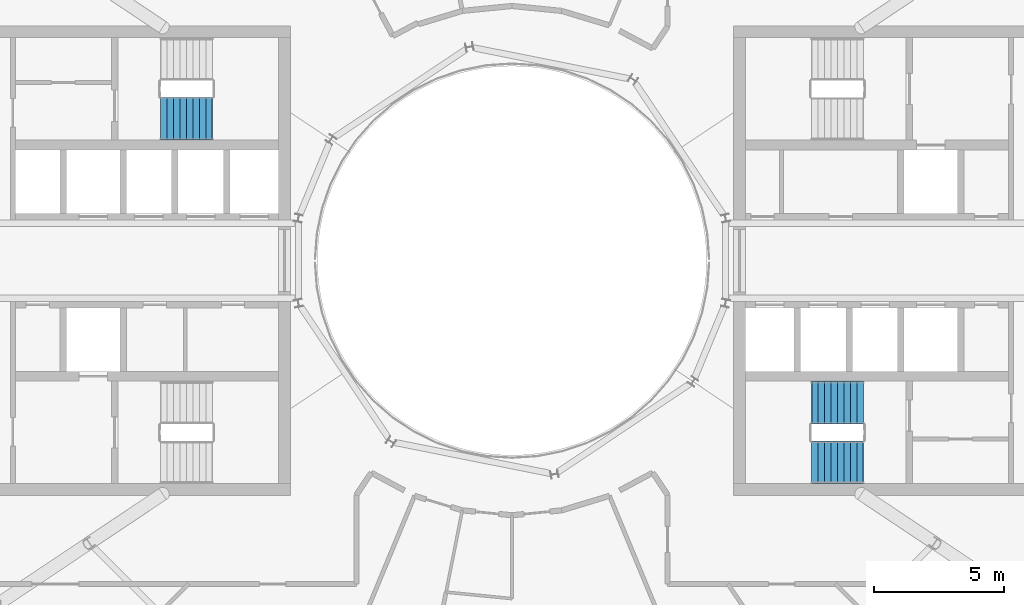
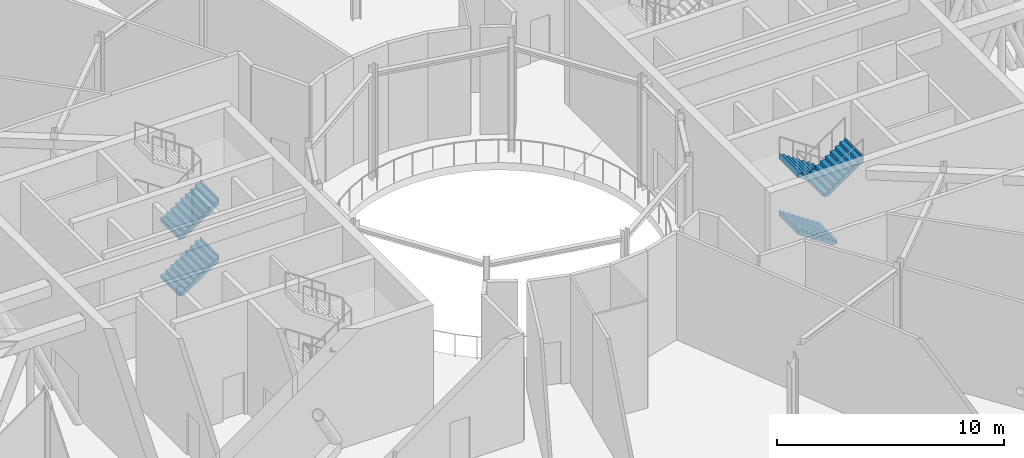
# One storey, part 17 of 24: 5 stair flights, 2 elements without a shape of their own.
"""IFC4 building model written with IfcOpenShell, lengths in metres."""

from ifc_helpers import new_model, si_unit, direction, frame, origin, place, context, subcontext, project, spatial, triangles, material, type_object, element, aggregate, save


model = new_model("IFC4")

# Units and contexts
model_context = context("Model", 3, precision=1e-05, world=origin(), true_north=direction((0.0, 1.0)))
body_context = subcontext(model_context, "Body", "Model", "MODEL_VIEW")
ifc_project = project(units=[si_unit("LENGTHUNIT", "METRE"), si_unit("AREAUNIT", "SQUARE_METRE"), si_unit("VOLUMEUNIT", "CUBIC_METRE"), si_unit("PLANEANGLEUNIT", "RADIAN"), si_unit("MASSUNIT", "GRAM", prefix="KILO")], contexts=[model_context])

# Site, building, storey
site_placement = place(None, origin())
site = spatial("IfcSite", under=ifc_project, at=site_placement, CompositionType="ELEMENT")
building_placement = place(site_placement, origin())
building = spatial("IfcBuilding", under=site, at=building_placement, Name="Maasbend Ring Residences", CompositionType="ELEMENT")
storey_placement = place(building_placement, frame((0.0, 0.0, 221.85009765625)))
storey = spatial("IfcBuildingStorey", under=building, at=storey_placement, Name="L64", CompositionType="ELEMENT", Elevation=221.85009765625)

# Stair, stair flights
ifc_material_1 = material(Name="Concrete C40/50", Category="concrete")
stair_type = type_object("IfcStairType", Name="CORE STAIR 36 RISERS", PredefinedType="HALF_TURN_STAIR", material=ifc_material_1)
stair_1_placement = place(storey_placement, origin())
stair_1 = element("IfcStair", 1, at=stair_1_placement, inside=storey, type_object=stair_type, Name="L64 Exit stair ST-E2", PredefinedType="HALF_TURN_STAIR")
ifc_material_2 = material(Name="Concrete C40/50", Category="concrete")
stair_flight_type = type_object("IfcStairFlightType", Name="CORE STAIR FLIGHT 1650", PredefinedType="STRAIGHT", material=ifc_material_2)
stair_flight_1_placement = place(storey_placement, frame((13.550048828125, -5.47509765625, 0.0), z_axis=(0.0, 0.0, 1.0), x_axis=(-1.0, 0.0, 0.0)))
stair_flight_1 = element("IfcStairFlight", 2, at=stair_flight_1_placement, type_object=stair_flight_type, Name="ST-E2 flight 1", NumberOfRisers=9, NumberOfTreads=8, PredefinedType="STRAIGHT", RiserHeight=0.169444444, TreadLength=0.25, context=body_context, shape_type="Tessellation", body=[
    triangles([(0.24072265625, 0.824951171875, -0.02001953125), (2.0029296875, 0.824951171875, 1.174560546875), (2.0029296875, 0.824951171875, 1.52490234375), (1.989990234375, 0.824951171875, 1.35546875), (1.75, 0.824951171875, 1.35546875), (1.75, 0.824951171875, 1.18603515625), (1.5, 0.824951171875, 1.18603515625), (1.5, 0.824951171875, 1.0166015625), (1.25, 0.824951171875, 1.0166015625), (1.25, 0.824951171875, 0.84716796875), (1.0, 0.824951171875, 0.84716796875), (1.0, 0.824951171875, 0.677734375), (0.75, 0.824951171875, 0.677734375), (0.75, 0.824951171875, 0.50830078125), (0.5, 0.824951171875, 0.50830078125), (0.5, 0.824951171875, 0.3388671875), (0.25, 0.824951171875, 0.3388671875), (0.25, 0.824951171875, 0.16943359375), (0.0, 0.824951171875, 0.16943359375), (0.0, 0.824951171875, 0.0), (-0.0029296875, 0.824951171875, 0.0), (-0.0029296875, 0.824951171875, -0.02001953125), (0.24072265625, 0.27490234375, -0.02001953125), (2.0029296875, 0.27490234375, 1.174560546875), (2.0029296875, 0.27490234375, 1.52490234375), (1.989990234375, 0.27490234375, 1.35546875), (1.75, 0.27490234375, 1.35546875), (1.75, 0.27490234375, 1.18603515625), (1.5, 0.27490234375, 1.18603515625), (1.5, 0.27490234375, 1.0166015625), (1.25, 0.27490234375, 1.0166015625), (1.25, 0.27490234375, 0.84716796875), (1.0, 0.27490234375, 0.84716796875), (1.0, 0.27490234375, 0.677734375), (0.75, 0.27490234375, 0.677734375), (0.75, 0.27490234375, 0.50830078125), (0.5, 0.27490234375, 0.50830078125), (0.5, 0.27490234375, 0.3388671875), (0.25, 0.27490234375, 0.3388671875), (0.25, 0.27490234375, 0.16943359375), (0.0, 0.27490234375, 0.16943359375), (0.0, 0.27490234375, 0.0), (-0.0029296875, 0.27490234375, 0.0), (-0.0029296875, 0.27490234375, -0.02001953125), (0.24072265625, -0.27490234375, -0.02001953125), (2.0029296875, -0.27490234375, 1.174560546875), (2.0029296875, -0.27490234375, 1.52490234375), (1.989990234375, -0.27490234375, 1.35546875), (1.75, -0.27490234375, 1.35546875), (1.75, -0.27490234375, 1.18603515625), (1.5, -0.27490234375, 1.18603515625), (1.5, -0.27490234375, 1.0166015625), (1.25, -0.27490234375, 1.0166015625), (1.25, -0.27490234375, 0.84716796875), (1.0, -0.27490234375, 0.84716796875), (1.0, -0.27490234375, 0.677734375), (0.75, -0.27490234375, 0.677734375), (0.75, -0.27490234375, 0.50830078125), (0.5, -0.27490234375, 0.50830078125), (0.5, -0.27490234375, 0.3388671875), (0.25, -0.27490234375, 0.3388671875), (0.25, -0.27490234375, 0.16943359375), (0.0, -0.27490234375, 0.16943359375), (0.0, -0.27490234375, 0.0), (-0.0029296875, -0.27490234375, 0.0), (-0.0029296875, -0.27490234375, -0.02001953125), (0.24072265625, -0.824951171875, -0.02001953125), (2.0029296875, -0.824951171875, 1.174560546875), (2.0029296875, -0.824951171875, 1.52490234375), (1.989990234375, -0.824951171875, 1.35546875), (1.75, -0.824951171875, 1.35546875), (1.75, -0.824951171875, 1.18603515625), (1.5, -0.824951171875, 1.18603515625), (1.5, -0.824951171875, 1.0166015625), (1.25, -0.824951171875, 1.0166015625), (1.25, -0.824951171875, 0.84716796875), (1.0, -0.824951171875, 0.84716796875), (1.0, -0.824951171875, 0.677734375), (0.75, -0.824951171875, 0.677734375), (0.75, -0.824951171875, 0.50830078125), (0.5, -0.824951171875, 0.50830078125), (0.5, -0.824951171875, 0.3388671875), (0.25, -0.824951171875, 0.3388671875), (0.25, -0.824951171875, 0.16943359375), (0.0, -0.824951171875, 0.16943359375), (0.0, -0.824951171875, 0.0), (-0.0029296875, -0.824951171875, 0.0), (-0.0029296875, -0.824951171875, -0.02001953125)], [[1, 2, 24], [1, 24, 23], [23, 24, 46], [23, 46, 45], [45, 46, 68], [45, 68, 67], [2, 3, 25], [2, 25, 24], [24, 25, 47], [24, 47, 46], [46, 47, 69], [46, 69, 68], [3, 4, 26], [3, 26, 25], [25, 26, 48], [25, 48, 47], [47, 48, 70], [47, 70, 69], [4, 5, 27], [4, 27, 26], [26, 27, 49], [26, 49, 48], [48, 49, 71], [48, 71, 70], [5, 6, 28], [5, 28, 27], [27, 28, 50], [27, 50, 49], [49, 50, 72], [49, 72, 71], [6, 7, 29], [6, 29, 28], [28, 29, 51], [28, 51, 50], [50, 51, 73], [50, 73, 72], [7, 8, 30], [7, 30, 29], [29, 30, 52], [29, 52, 51], [51, 52, 74], [51, 74, 73], [8, 9, 31], [8, 31, 30], [30, 31, 53], [30, 53, 52], [52, 53, 75], [52, 75, 74], [9, 10, 32], [9, 32, 31], [31, 32, 54], [31, 54, 53], [53, 54, 76], [53, 76, 75], [10, 11, 33], [10, 33, 32], [32, 33, 55], [32, 55, 54], [54, 55, 77], [54, 77, 76], [11, 12, 34], [11, 34, 33], [33, 34, 56], [33, 56, 55], [55, 56, 78], [55, 78, 77], [12, 13, 35], [12, 35, 34], [34, 35, 57], [34, 57, 56], [56, 57, 79], [56, 79, 78], [13, 14, 36], [13, 36, 35], [35, 36, 58], [35, 58, 57], [57, 58, 80], [57, 80, 79], [14, 15, 37], [14, 37, 36], [36, 37, 59], [36, 59, 58], [58, 59, 81], [58, 81, 80], [15, 16, 38], [15, 38, 37], [37, 38, 60], [37, 60, 59], [59, 60, 82], [59, 82, 81], [16, 17, 39], [16, 39, 38], [38, 39, 61], [38, 61, 60], [60, 61, 83], [60, 83, 82], [17, 18, 40], [17, 40, 39], [39, 40, 62], [39, 62, 61], [61, 62, 84], [61, 84, 83], [18, 19, 41], [18, 41, 40], [40, 41, 63], [40, 63, 62], [62, 63, 85], [62, 85, 84], [19, 20, 42], [19, 42, 41], [41, 42, 64], [41, 64, 63], [63, 64, 86], [63, 86, 85], [20, 21, 43], [20, 43, 42], [42, 43, 65], [42, 65, 64], [64, 65, 87], [64, 87, 86], [21, 22, 44], [21, 44, 43], [43, 44, 66], [43, 66, 65], [65, 66, 88], [65, 88, 87], [22, 1, 23], [22, 23, 44], [44, 23, 45], [44, 45, 66], [66, 45, 67], [66, 67, 88], [22, 2, 1], [2, 4, 3], [2, 5, 4], [2, 6, 5], [22, 6, 2], [6, 8, 7], [22, 8, 6], [8, 10, 9], [22, 10, 8], [10, 12, 11], [22, 12, 10], [12, 14, 13], [22, 14, 12], [14, 16, 15], [22, 16, 14], [16, 18, 17], [22, 18, 16], [18, 20, 19], [22, 20, 18], [20, 22, 21], [88, 67, 68], [68, 69, 70], [68, 70, 71], [68, 71, 72], [88, 68, 72], [72, 73, 74], [88, 72, 74], [74, 75, 76], [88, 74, 76], [76, 77, 78], [88, 76, 78], [78, 79, 80], [88, 78, 80], [80, 81, 82], [88, 80, 82], [82, 83, 84], [88, 82, 84], [84, 85, 86], [88, 84, 86], [86, 87, 88]], closed=True),
])
stair_flight_2_placement = place(storey_placement, frame((13.550048828125, -5.47509765625, 3.0498046875), z_axis=(0.0, 0.0, 1.0), x_axis=(-1.0, 0.0, 0.0)))
stair_flight_2 = element("IfcStairFlight", 3, at=stair_flight_2_placement, type_object=stair_flight_type, Name="ST-E2 flight 3", NumberOfRisers=9, NumberOfTreads=8, PredefinedType="STRAIGHT", RiserHeight=0.169444444, TreadLength=0.25, context=body_context, shape_type="Tessellation", body=[
    triangles([(0.24072265625, 0.824951171875, -0.02001953125), (2.0029296875, 0.824951171875, 1.174560546875), (2.0029296875, 0.824951171875, 1.52490234375), (1.989990234375, 0.824951171875, 1.35546875), (1.75, 0.824951171875, 1.35546875), (1.75, 0.824951171875, 1.18603515625), (1.5, 0.824951171875, 1.18603515625), (1.5, 0.824951171875, 1.0166015625), (1.25, 0.824951171875, 1.0166015625), (1.25, 0.824951171875, 0.84716796875), (1.0, 0.824951171875, 0.84716796875), (1.0, 0.824951171875, 0.677734375), (0.75, 0.824951171875, 0.677734375), (0.75, 0.824951171875, 0.50830078125), (0.5, 0.824951171875, 0.50830078125), (0.5, 0.824951171875, 0.3388671875), (0.25, 0.824951171875, 0.3388671875), (0.25, 0.824951171875, 0.16943359375), (0.0, 0.824951171875, 0.16943359375), (0.0, 0.824951171875, 0.0), (-0.0029296875, 0.824951171875, 0.0), (-0.0029296875, 0.824951171875, -0.02001953125), (0.24072265625, 0.27490234375, -0.02001953125), (2.0029296875, 0.27490234375, 1.174560546875), (2.0029296875, 0.27490234375, 1.52490234375), (1.989990234375, 0.27490234375, 1.35546875), (1.75, 0.27490234375, 1.35546875), (1.75, 0.27490234375, 1.18603515625), (1.5, 0.27490234375, 1.18603515625), (1.5, 0.27490234375, 1.0166015625), (1.25, 0.27490234375, 1.0166015625), (1.25, 0.27490234375, 0.84716796875), (1.0, 0.27490234375, 0.84716796875), (1.0, 0.27490234375, 0.677734375), (0.75, 0.27490234375, 0.677734375), (0.75, 0.27490234375, 0.50830078125), (0.5, 0.27490234375, 0.50830078125), (0.5, 0.27490234375, 0.3388671875), (0.25, 0.27490234375, 0.3388671875), (0.25, 0.27490234375, 0.16943359375), (0.0, 0.27490234375, 0.16943359375), (0.0, 0.27490234375, 0.0), (-0.0029296875, 0.27490234375, 0.0), (-0.0029296875, 0.27490234375, -0.02001953125), (0.24072265625, -0.27490234375, -0.02001953125), (2.0029296875, -0.27490234375, 1.174560546875), (2.0029296875, -0.27490234375, 1.52490234375), (1.989990234375, -0.27490234375, 1.35546875), (1.75, -0.27490234375, 1.35546875), (1.75, -0.27490234375, 1.18603515625), (1.5, -0.27490234375, 1.18603515625), (1.5, -0.27490234375, 1.0166015625), (1.25, -0.27490234375, 1.0166015625), (1.25, -0.27490234375, 0.84716796875), (1.0, -0.27490234375, 0.84716796875), (1.0, -0.27490234375, 0.677734375), (0.75, -0.27490234375, 0.677734375), (0.75, -0.27490234375, 0.50830078125), (0.5, -0.27490234375, 0.50830078125), (0.5, -0.27490234375, 0.3388671875), (0.25, -0.27490234375, 0.3388671875), (0.25, -0.27490234375, 0.16943359375), (0.0, -0.27490234375, 0.16943359375), (0.0, -0.27490234375, 0.0), (-0.0029296875, -0.27490234375, 0.0), (-0.0029296875, -0.27490234375, -0.02001953125), (0.24072265625, -0.824951171875, -0.02001953125), (2.0029296875, -0.824951171875, 1.174560546875), (2.0029296875, -0.824951171875, 1.52490234375), (1.989990234375, -0.824951171875, 1.35546875), (1.75, -0.824951171875, 1.35546875), (1.75, -0.824951171875, 1.18603515625), (1.5, -0.824951171875, 1.18603515625), (1.5, -0.824951171875, 1.0166015625), (1.25, -0.824951171875, 1.0166015625), (1.25, -0.824951171875, 0.84716796875), (1.0, -0.824951171875, 0.84716796875), (1.0, -0.824951171875, 0.677734375), (0.75, -0.824951171875, 0.677734375), (0.75, -0.824951171875, 0.50830078125), (0.5, -0.824951171875, 0.50830078125), (0.5, -0.824951171875, 0.3388671875), (0.25, -0.824951171875, 0.3388671875), (0.25, -0.824951171875, 0.16943359375), (0.0, -0.824951171875, 0.16943359375), (0.0, -0.824951171875, 0.0), (-0.0029296875, -0.824951171875, 0.0), (-0.0029296875, -0.824951171875, -0.02001953125)], [[1, 2, 24], [1, 24, 23], [23, 24, 46], [23, 46, 45], [45, 46, 68], [45, 68, 67], [2, 3, 25], [2, 25, 24], [24, 25, 47], [24, 47, 46], [46, 47, 69], [46, 69, 68], [3, 4, 26], [3, 26, 25], [25, 26, 48], [25, 48, 47], [47, 48, 70], [47, 70, 69], [4, 5, 27], [4, 27, 26], [26, 27, 49], [26, 49, 48], [48, 49, 71], [48, 71, 70], [5, 6, 28], [5, 28, 27], [27, 28, 50], [27, 50, 49], [49, 50, 72], [49, 72, 71], [6, 7, 29], [6, 29, 28], [28, 29, 51], [28, 51, 50], [50, 51, 73], [50, 73, 72], [7, 8, 30], [7, 30, 29], [29, 30, 52], [29, 52, 51], [51, 52, 74], [51, 74, 73], [8, 9, 31], [8, 31, 30], [30, 31, 53], [30, 53, 52], [52, 53, 75], [52, 75, 74], [9, 10, 32], [9, 32, 31], [31, 32, 54], [31, 54, 53], [53, 54, 76], [53, 76, 75], [10, 11, 33], [10, 33, 32], [32, 33, 55], [32, 55, 54], [54, 55, 77], [54, 77, 76], [11, 12, 34], [11, 34, 33], [33, 34, 56], [33, 56, 55], [55, 56, 78], [55, 78, 77], [12, 13, 35], [12, 35, 34], [34, 35, 57], [34, 57, 56], [56, 57, 79], [56, 79, 78], [13, 14, 36], [13, 36, 35], [35, 36, 58], [35, 58, 57], [57, 58, 80], [57, 80, 79], [14, 15, 37], [14, 37, 36], [36, 37, 59], [36, 59, 58], [58, 59, 81], [58, 81, 80], [15, 16, 38], [15, 38, 37], [37, 38, 60], [37, 60, 59], [59, 60, 82], [59, 82, 81], [16, 17, 39], [16, 39, 38], [38, 39, 61], [38, 61, 60], [60, 61, 83], [60, 83, 82], [17, 18, 40], [17, 40, 39], [39, 40, 62], [39, 62, 61], [61, 62, 84], [61, 84, 83], [18, 19, 41], [18, 41, 40], [40, 41, 63], [40, 63, 62], [62, 63, 85], [62, 85, 84], [19, 20, 42], [19, 42, 41], [41, 42, 64], [41, 64, 63], [63, 64, 86], [63, 86, 85], [20, 21, 43], [20, 43, 42], [42, 43, 65], [42, 65, 64], [64, 65, 87], [64, 87, 86], [21, 22, 44], [21, 44, 43], [43, 44, 66], [43, 66, 65], [65, 66, 88], [65, 88, 87], [22, 1, 23], [22, 23, 44], [44, 23, 45], [44, 45, 66], [66, 45, 67], [66, 67, 88], [22, 2, 1], [2, 4, 3], [2, 5, 4], [2, 6, 5], [22, 6, 2], [6, 8, 7], [22, 8, 6], [8, 10, 9], [22, 10, 8], [10, 12, 11], [22, 12, 10], [12, 14, 13], [22, 14, 12], [14, 16, 15], [22, 16, 14], [16, 18, 17], [22, 18, 16], [18, 20, 19], [22, 20, 18], [20, 22, 21], [88, 67, 68], [68, 69, 70], [68, 70, 71], [68, 71, 72], [88, 68, 72], [72, 73, 74], [88, 72, 74], [74, 75, 76], [88, 74, 76], [76, 77, 78], [88, 76, 78], [78, 79, 80], [88, 78, 80], [80, 81, 82], [88, 80, 82], [82, 83, 84], [88, 82, 84], [84, 85, 86], [88, 84, 86], [86, 87, 88]], closed=True),
])
stair_flight_3_placement = place(storey_placement, frame((11.550048828125, -7.77490234375, 4.574951171875), z_axis=(0.0, 0.0, 1.0), x_axis=(1.0, 0.0, 0.0)))
stair_flight_3 = element("IfcStairFlight", 4, at=stair_flight_3_placement, type_object=stair_flight_type, Name="ST-E2 flight 4", NumberOfRisers=9, NumberOfTreads=8, PredefinedType="STRAIGHT", RiserHeight=0.169444444, TreadLength=0.25, context=body_context, shape_type="Tessellation", body=[
    triangles([(0.24072265625, 0.824951171875, -0.02001953125), (2.0029296875, 0.824951171875, 1.174560546875), (2.0029296875, 0.824951171875, 1.52490234375), (1.989990234375, 0.824951171875, 1.35546875), (1.75, 0.824951171875, 1.35546875), (1.75, 0.824951171875, 1.18603515625), (1.5, 0.824951171875, 1.18603515625), (1.5, 0.824951171875, 1.0166015625), (1.25, 0.824951171875, 1.0166015625), (1.25, 0.824951171875, 0.84716796875), (1.0, 0.824951171875, 0.84716796875), (1.0, 0.824951171875, 0.677734375), (0.75, 0.824951171875, 0.677734375), (0.75, 0.824951171875, 0.50830078125), (0.5, 0.824951171875, 0.50830078125), (0.5, 0.824951171875, 0.3388671875), (0.25, 0.824951171875, 0.3388671875), (0.25, 0.824951171875, 0.16943359375), (0.0, 0.824951171875, 0.16943359375), (0.0, 0.824951171875, 0.0), (-0.0029296875, 0.824951171875, 0.0), (-0.0029296875, 0.824951171875, -0.02001953125), (0.24072265625, 0.27490234375, -0.02001953125), (2.0029296875, 0.27490234375, 1.174560546875), (2.0029296875, 0.27490234375, 1.52490234375), (1.989990234375, 0.27490234375, 1.35546875), (1.75, 0.27490234375, 1.35546875), (1.75, 0.27490234375, 1.18603515625), (1.5, 0.27490234375, 1.18603515625), (1.5, 0.27490234375, 1.0166015625), (1.25, 0.27490234375, 1.0166015625), (1.25, 0.27490234375, 0.84716796875), (1.0, 0.27490234375, 0.84716796875), (1.0, 0.27490234375, 0.677734375), (0.75, 0.27490234375, 0.677734375), (0.75, 0.27490234375, 0.50830078125), (0.5, 0.27490234375, 0.50830078125), (0.5, 0.27490234375, 0.3388671875), (0.25, 0.27490234375, 0.3388671875), (0.25, 0.27490234375, 0.16943359375), (0.0, 0.27490234375, 0.16943359375), (0.0, 0.27490234375, 0.0), (-0.0029296875, 0.27490234375, 0.0), (-0.0029296875, 0.27490234375, -0.02001953125), (0.24072265625, -0.27490234375, -0.02001953125), (2.0029296875, -0.27490234375, 1.174560546875), (2.0029296875, -0.27490234375, 1.52490234375), (1.989990234375, -0.27490234375, 1.35546875), (1.75, -0.27490234375, 1.35546875), (1.75, -0.27490234375, 1.18603515625), (1.5, -0.27490234375, 1.18603515625), (1.5, -0.27490234375, 1.0166015625), (1.25, -0.27490234375, 1.0166015625), (1.25, -0.27490234375, 0.84716796875), (1.0, -0.27490234375, 0.84716796875), (1.0, -0.27490234375, 0.677734375), (0.75, -0.27490234375, 0.677734375), (0.75, -0.27490234375, 0.50830078125), (0.5, -0.27490234375, 0.50830078125), (0.5, -0.27490234375, 0.3388671875), (0.25, -0.27490234375, 0.3388671875), (0.25, -0.27490234375, 0.16943359375), (0.0, -0.27490234375, 0.16943359375), (0.0, -0.27490234375, 0.0), (-0.0029296875, -0.27490234375, 0.0), (-0.0029296875, -0.27490234375, -0.02001953125), (0.24072265625, -0.824951171875, -0.02001953125), (2.0029296875, -0.824951171875, 1.174560546875), (2.0029296875, -0.824951171875, 1.52490234375), (1.989990234375, -0.824951171875, 1.35546875), (1.75, -0.824951171875, 1.35546875), (1.75, -0.824951171875, 1.18603515625), (1.5, -0.824951171875, 1.18603515625), (1.5, -0.824951171875, 1.0166015625), (1.25, -0.824951171875, 1.0166015625), (1.25, -0.824951171875, 0.84716796875), (1.0, -0.824951171875, 0.84716796875), (1.0, -0.824951171875, 0.677734375), (0.75, -0.824951171875, 0.677734375), (0.75, -0.824951171875, 0.50830078125), (0.5, -0.824951171875, 0.50830078125), (0.5, -0.824951171875, 0.3388671875), (0.25, -0.824951171875, 0.3388671875), (0.25, -0.824951171875, 0.16943359375), (0.0, -0.824951171875, 0.16943359375), (0.0, -0.824951171875, 0.0), (-0.0029296875, -0.824951171875, 0.0), (-0.0029296875, -0.824951171875, -0.02001953125)], [[1, 2, 24], [1, 24, 23], [23, 24, 46], [23, 46, 45], [45, 46, 68], [45, 68, 67], [2, 3, 25], [2, 25, 24], [24, 25, 47], [24, 47, 46], [46, 47, 69], [46, 69, 68], [3, 4, 26], [3, 26, 25], [25, 26, 48], [25, 48, 47], [47, 48, 70], [47, 70, 69], [4, 5, 27], [4, 27, 26], [26, 27, 49], [26, 49, 48], [48, 49, 71], [48, 71, 70], [5, 6, 28], [5, 28, 27], [27, 28, 50], [27, 50, 49], [49, 50, 72], [49, 72, 71], [6, 7, 29], [6, 29, 28], [28, 29, 51], [28, 51, 50], [50, 51, 73], [50, 73, 72], [7, 8, 30], [7, 30, 29], [29, 30, 52], [29, 52, 51], [51, 52, 74], [51, 74, 73], [8, 9, 31], [8, 31, 30], [30, 31, 53], [30, 53, 52], [52, 53, 75], [52, 75, 74], [9, 10, 32], [9, 32, 31], [31, 32, 54], [31, 54, 53], [53, 54, 76], [53, 76, 75], [10, 11, 33], [10, 33, 32], [32, 33, 55], [32, 55, 54], [54, 55, 77], [54, 77, 76], [11, 12, 34], [11, 34, 33], [33, 34, 56], [33, 56, 55], [55, 56, 78], [55, 78, 77], [12, 13, 35], [12, 35, 34], [34, 35, 57], [34, 57, 56], [56, 57, 79], [56, 79, 78], [13, 14, 36], [13, 36, 35], [35, 36, 58], [35, 58, 57], [57, 58, 80], [57, 80, 79], [14, 15, 37], [14, 37, 36], [36, 37, 59], [36, 59, 58], [58, 59, 81], [58, 81, 80], [15, 16, 38], [15, 38, 37], [37, 38, 60], [37, 60, 59], [59, 60, 82], [59, 82, 81], [16, 17, 39], [16, 39, 38], [38, 39, 61], [38, 61, 60], [60, 61, 83], [60, 83, 82], [17, 18, 40], [17, 40, 39], [39, 40, 62], [39, 62, 61], [61, 62, 84], [61, 84, 83], [18, 19, 41], [18, 41, 40], [40, 41, 63], [40, 63, 62], [62, 63, 85], [62, 85, 84], [19, 20, 42], [19, 42, 41], [41, 42, 64], [41, 64, 63], [63, 64, 86], [63, 86, 85], [20, 21, 43], [20, 43, 42], [42, 43, 65], [42, 65, 64], [64, 65, 87], [64, 87, 86], [21, 22, 44], [21, 44, 43], [43, 44, 66], [43, 66, 65], [65, 66, 88], [65, 88, 87], [22, 1, 23], [22, 23, 44], [44, 23, 45], [44, 45, 66], [66, 45, 67], [66, 67, 88], [22, 2, 1], [2, 4, 3], [2, 5, 4], [2, 6, 5], [22, 6, 2], [6, 8, 7], [22, 8, 6], [8, 10, 9], [22, 10, 8], [10, 12, 11], [22, 12, 10], [12, 14, 13], [22, 14, 12], [14, 16, 15], [22, 16, 14], [16, 18, 17], [22, 18, 16], [18, 20, 19], [22, 20, 18], [20, 22, 21], [88, 67, 68], [68, 69, 70], [68, 70, 71], [68, 71, 72], [88, 68, 72], [72, 73, 74], [88, 72, 74], [74, 75, 76], [88, 74, 76], [76, 77, 78], [88, 76, 78], [78, 79, 80], [88, 78, 80], [80, 81, 82], [88, 80, 82], [82, 83, 84], [88, 82, 84], [84, 85, 86], [88, 84, 86], [86, 87, 88]], closed=True),
])
aggregate(stair_1, [stair_flight_1, stair_flight_2, stair_flight_3])

stair_2_placement = place(storey_placement, origin())
stair_2 = element("IfcStair", 5, at=stair_2_placement, inside=storey, type_object=stair_type, Name="L64 Exit stair ST-W2", PredefinedType="HALF_TURN_STAIR")
stair_flight_4_placement = place(storey_placement, frame((-13.550048828125, 5.47509765625, 0.0), z_axis=(0.0, 0.0, 1.0), x_axis=(1.0, 0.0, 0.0)))
stair_flight_4 = element("IfcStairFlight", 6, at=stair_flight_4_placement, type_object=stair_flight_type, Name="ST-W2 flight 1", NumberOfRisers=9, NumberOfTreads=8, PredefinedType="STRAIGHT", RiserHeight=0.169444444, TreadLength=0.25, context=body_context, shape_type="Tessellation", body=[
    triangles([(0.24072265625, 0.824951171875, -0.02001953125), (2.0029296875, 0.824951171875, 1.174560546875), (2.0029296875, 0.824951171875, 1.52490234375), (1.989990234375, 0.824951171875, 1.35546875), (1.75, 0.824951171875, 1.35546875), (1.75, 0.824951171875, 1.18603515625), (1.5, 0.824951171875, 1.18603515625), (1.5, 0.824951171875, 1.0166015625), (1.25, 0.824951171875, 1.0166015625), (1.25, 0.824951171875, 0.84716796875), (1.0, 0.824951171875, 0.84716796875), (1.0, 0.824951171875, 0.677734375), (0.75, 0.824951171875, 0.677734375), (0.75, 0.824951171875, 0.50830078125), (0.5, 0.824951171875, 0.50830078125), (0.5, 0.824951171875, 0.3388671875), (0.25, 0.824951171875, 0.3388671875), (0.25, 0.824951171875, 0.16943359375), (0.0, 0.824951171875, 0.16943359375), (0.0, 0.824951171875, 0.0), (-0.0029296875, 0.824951171875, 0.0), (-0.0029296875, 0.824951171875, -0.02001953125), (0.24072265625, 0.27490234375, -0.02001953125), (2.0029296875, 0.27490234375, 1.174560546875), (2.0029296875, 0.27490234375, 1.52490234375), (1.989990234375, 0.27490234375, 1.35546875), (1.75, 0.27490234375, 1.35546875), (1.75, 0.27490234375, 1.18603515625), (1.5, 0.27490234375, 1.18603515625), (1.5, 0.27490234375, 1.0166015625), (1.25, 0.27490234375, 1.0166015625), (1.25, 0.27490234375, 0.84716796875), (1.0, 0.27490234375, 0.84716796875), (1.0, 0.27490234375, 0.677734375), (0.75, 0.27490234375, 0.677734375), (0.75, 0.27490234375, 0.50830078125), (0.5, 0.27490234375, 0.50830078125), (0.5, 0.27490234375, 0.3388671875), (0.25, 0.27490234375, 0.3388671875), (0.25, 0.27490234375, 0.16943359375), (0.0, 0.27490234375, 0.16943359375), (0.0, 0.27490234375, 0.0), (-0.0029296875, 0.27490234375, 0.0), (-0.0029296875, 0.27490234375, -0.02001953125), (0.24072265625, -0.27490234375, -0.02001953125), (2.0029296875, -0.27490234375, 1.174560546875), (2.0029296875, -0.27490234375, 1.52490234375), (1.989990234375, -0.27490234375, 1.35546875), (1.75, -0.27490234375, 1.35546875), (1.75, -0.27490234375, 1.18603515625), (1.5, -0.27490234375, 1.18603515625), (1.5, -0.27490234375, 1.0166015625), (1.25, -0.27490234375, 1.0166015625), (1.25, -0.27490234375, 0.84716796875), (1.0, -0.27490234375, 0.84716796875), (1.0, -0.27490234375, 0.677734375), (0.75, -0.27490234375, 0.677734375), (0.75, -0.27490234375, 0.50830078125), (0.5, -0.27490234375, 0.50830078125), (0.5, -0.27490234375, 0.3388671875), (0.25, -0.27490234375, 0.3388671875), (0.25, -0.27490234375, 0.16943359375), (0.0, -0.27490234375, 0.16943359375), (0.0, -0.27490234375, 0.0), (-0.0029296875, -0.27490234375, 0.0), (-0.0029296875, -0.27490234375, -0.02001953125), (0.24072265625, -0.824951171875, -0.02001953125), (2.0029296875, -0.824951171875, 1.174560546875), (2.0029296875, -0.824951171875, 1.52490234375), (1.989990234375, -0.824951171875, 1.35546875), (1.75, -0.824951171875, 1.35546875), (1.75, -0.824951171875, 1.18603515625), (1.5, -0.824951171875, 1.18603515625), (1.5, -0.824951171875, 1.0166015625), (1.25, -0.824951171875, 1.0166015625), (1.25, -0.824951171875, 0.84716796875), (1.0, -0.824951171875, 0.84716796875), (1.0, -0.824951171875, 0.677734375), (0.75, -0.824951171875, 0.677734375), (0.75, -0.824951171875, 0.50830078125), (0.5, -0.824951171875, 0.50830078125), (0.5, -0.824951171875, 0.3388671875), (0.25, -0.824951171875, 0.3388671875), (0.25, -0.824951171875, 0.16943359375), (0.0, -0.824951171875, 0.16943359375), (0.0, -0.824951171875, 0.0), (-0.0029296875, -0.824951171875, 0.0), (-0.0029296875, -0.824951171875, -0.02001953125)], [[1, 2, 24], [1, 24, 23], [23, 24, 46], [23, 46, 45], [45, 46, 68], [45, 68, 67], [2, 3, 25], [2, 25, 24], [24, 25, 47], [24, 47, 46], [46, 47, 69], [46, 69, 68], [3, 4, 26], [3, 26, 25], [25, 26, 48], [25, 48, 47], [47, 48, 70], [47, 70, 69], [4, 5, 27], [4, 27, 26], [26, 27, 49], [26, 49, 48], [48, 49, 71], [48, 71, 70], [5, 6, 28], [5, 28, 27], [27, 28, 50], [27, 50, 49], [49, 50, 72], [49, 72, 71], [6, 7, 29], [6, 29, 28], [28, 29, 51], [28, 51, 50], [50, 51, 73], [50, 73, 72], [7, 8, 30], [7, 30, 29], [29, 30, 52], [29, 52, 51], [51, 52, 74], [51, 74, 73], [8, 9, 31], [8, 31, 30], [30, 31, 53], [30, 53, 52], [52, 53, 75], [52, 75, 74], [9, 10, 32], [9, 32, 31], [31, 32, 54], [31, 54, 53], [53, 54, 76], [53, 76, 75], [10, 11, 33], [10, 33, 32], [32, 33, 55], [32, 55, 54], [54, 55, 77], [54, 77, 76], [11, 12, 34], [11, 34, 33], [33, 34, 56], [33, 56, 55], [55, 56, 78], [55, 78, 77], [12, 13, 35], [12, 35, 34], [34, 35, 57], [34, 57, 56], [56, 57, 79], [56, 79, 78], [13, 14, 36], [13, 36, 35], [35, 36, 58], [35, 58, 57], [57, 58, 80], [57, 80, 79], [14, 15, 37], [14, 37, 36], [36, 37, 59], [36, 59, 58], [58, 59, 81], [58, 81, 80], [15, 16, 38], [15, 38, 37], [37, 38, 60], [37, 60, 59], [59, 60, 82], [59, 82, 81], [16, 17, 39], [16, 39, 38], [38, 39, 61], [38, 61, 60], [60, 61, 83], [60, 83, 82], [17, 18, 40], [17, 40, 39], [39, 40, 62], [39, 62, 61], [61, 62, 84], [61, 84, 83], [18, 19, 41], [18, 41, 40], [40, 41, 63], [40, 63, 62], [62, 63, 85], [62, 85, 84], [19, 20, 42], [19, 42, 41], [41, 42, 64], [41, 64, 63], [63, 64, 86], [63, 86, 85], [20, 21, 43], [20, 43, 42], [42, 43, 65], [42, 65, 64], [64, 65, 87], [64, 87, 86], [21, 22, 44], [21, 44, 43], [43, 44, 66], [43, 66, 65], [65, 66, 88], [65, 88, 87], [22, 1, 23], [22, 23, 44], [44, 23, 45], [44, 45, 66], [66, 45, 67], [66, 67, 88], [22, 2, 1], [2, 4, 3], [2, 5, 4], [2, 6, 5], [22, 6, 2], [6, 8, 7], [22, 8, 6], [8, 10, 9], [22, 10, 8], [10, 12, 11], [22, 12, 10], [12, 14, 13], [22, 14, 12], [14, 16, 15], [22, 16, 14], [16, 18, 17], [22, 18, 16], [18, 20, 19], [22, 20, 18], [20, 22, 21], [88, 67, 68], [68, 69, 70], [68, 70, 71], [68, 71, 72], [88, 68, 72], [72, 73, 74], [88, 72, 74], [74, 75, 76], [88, 74, 76], [76, 77, 78], [88, 76, 78], [78, 79, 80], [88, 78, 80], [80, 81, 82], [88, 80, 82], [82, 83, 84], [88, 82, 84], [84, 85, 86], [88, 84, 86], [86, 87, 88]], closed=True),
])
stair_flight_5_placement = place(storey_placement, frame((-13.550048828125, 5.47509765625, 3.0498046875), z_axis=(0.0, 0.0, 1.0), x_axis=(1.0, 0.0, 0.0)))
stair_flight_5 = element("IfcStairFlight", 7, at=stair_flight_5_placement, type_object=stair_flight_type, Name="ST-W2 flight 3", NumberOfRisers=9, NumberOfTreads=8, PredefinedType="STRAIGHT", RiserHeight=0.169444444, TreadLength=0.25, context=body_context, shape_type="Tessellation", body=[
    triangles([(0.24072265625, 0.824951171875, -0.02001953125), (2.0029296875, 0.824951171875, 1.174560546875), (2.0029296875, 0.824951171875, 1.52490234375), (1.989990234375, 0.824951171875, 1.35546875), (1.75, 0.824951171875, 1.35546875), (1.75, 0.824951171875, 1.18603515625), (1.5, 0.824951171875, 1.18603515625), (1.5, 0.824951171875, 1.0166015625), (1.25, 0.824951171875, 1.0166015625), (1.25, 0.824951171875, 0.84716796875), (1.0, 0.824951171875, 0.84716796875), (1.0, 0.824951171875, 0.677734375), (0.75, 0.824951171875, 0.677734375), (0.75, 0.824951171875, 0.50830078125), (0.5, 0.824951171875, 0.50830078125), (0.5, 0.824951171875, 0.3388671875), (0.25, 0.824951171875, 0.3388671875), (0.25, 0.824951171875, 0.16943359375), (0.0, 0.824951171875, 0.16943359375), (0.0, 0.824951171875, 0.0), (-0.0029296875, 0.824951171875, 0.0), (-0.0029296875, 0.824951171875, -0.02001953125), (0.24072265625, 0.27490234375, -0.02001953125), (2.0029296875, 0.27490234375, 1.174560546875), (2.0029296875, 0.27490234375, 1.52490234375), (1.989990234375, 0.27490234375, 1.35546875), (1.75, 0.27490234375, 1.35546875), (1.75, 0.27490234375, 1.18603515625), (1.5, 0.27490234375, 1.18603515625), (1.5, 0.27490234375, 1.0166015625), (1.25, 0.27490234375, 1.0166015625), (1.25, 0.27490234375, 0.84716796875), (1.0, 0.27490234375, 0.84716796875), (1.0, 0.27490234375, 0.677734375), (0.75, 0.27490234375, 0.677734375), (0.75, 0.27490234375, 0.50830078125), (0.5, 0.27490234375, 0.50830078125), (0.5, 0.27490234375, 0.3388671875), (0.25, 0.27490234375, 0.3388671875), (0.25, 0.27490234375, 0.16943359375), (0.0, 0.27490234375, 0.16943359375), (0.0, 0.27490234375, 0.0), (-0.0029296875, 0.27490234375, 0.0), (-0.0029296875, 0.27490234375, -0.02001953125), (0.24072265625, -0.27490234375, -0.02001953125), (2.0029296875, -0.27490234375, 1.174560546875), (2.0029296875, -0.27490234375, 1.52490234375), (1.989990234375, -0.27490234375, 1.35546875), (1.75, -0.27490234375, 1.35546875), (1.75, -0.27490234375, 1.18603515625), (1.5, -0.27490234375, 1.18603515625), (1.5, -0.27490234375, 1.0166015625), (1.25, -0.27490234375, 1.0166015625), (1.25, -0.27490234375, 0.84716796875), (1.0, -0.27490234375, 0.84716796875), (1.0, -0.27490234375, 0.677734375), (0.75, -0.27490234375, 0.677734375), (0.75, -0.27490234375, 0.50830078125), (0.5, -0.27490234375, 0.50830078125), (0.5, -0.27490234375, 0.3388671875), (0.25, -0.27490234375, 0.3388671875), (0.25, -0.27490234375, 0.16943359375), (0.0, -0.27490234375, 0.16943359375), (0.0, -0.27490234375, 0.0), (-0.0029296875, -0.27490234375, 0.0), (-0.0029296875, -0.27490234375, -0.02001953125), (0.24072265625, -0.824951171875, -0.02001953125), (2.0029296875, -0.824951171875, 1.174560546875), (2.0029296875, -0.824951171875, 1.52490234375), (1.989990234375, -0.824951171875, 1.35546875), (1.75, -0.824951171875, 1.35546875), (1.75, -0.824951171875, 1.18603515625), (1.5, -0.824951171875, 1.18603515625), (1.5, -0.824951171875, 1.0166015625), (1.25, -0.824951171875, 1.0166015625), (1.25, -0.824951171875, 0.84716796875), (1.0, -0.824951171875, 0.84716796875), (1.0, -0.824951171875, 0.677734375), (0.75, -0.824951171875, 0.677734375), (0.75, -0.824951171875, 0.50830078125), (0.5, -0.824951171875, 0.50830078125), (0.5, -0.824951171875, 0.3388671875), (0.25, -0.824951171875, 0.3388671875), (0.25, -0.824951171875, 0.16943359375), (0.0, -0.824951171875, 0.16943359375), (0.0, -0.824951171875, 0.0), (-0.0029296875, -0.824951171875, 0.0), (-0.0029296875, -0.824951171875, -0.02001953125)], [[1, 2, 24], [1, 24, 23], [23, 24, 46], [23, 46, 45], [45, 46, 68], [45, 68, 67], [2, 3, 25], [2, 25, 24], [24, 25, 47], [24, 47, 46], [46, 47, 69], [46, 69, 68], [3, 4, 26], [3, 26, 25], [25, 26, 48], [25, 48, 47], [47, 48, 70], [47, 70, 69], [4, 5, 27], [4, 27, 26], [26, 27, 49], [26, 49, 48], [48, 49, 71], [48, 71, 70], [5, 6, 28], [5, 28, 27], [27, 28, 50], [27, 50, 49], [49, 50, 72], [49, 72, 71], [6, 7, 29], [6, 29, 28], [28, 29, 51], [28, 51, 50], [50, 51, 73], [50, 73, 72], [7, 8, 30], [7, 30, 29], [29, 30, 52], [29, 52, 51], [51, 52, 74], [51, 74, 73], [8, 9, 31], [8, 31, 30], [30, 31, 53], [30, 53, 52], [52, 53, 75], [52, 75, 74], [9, 10, 32], [9, 32, 31], [31, 32, 54], [31, 54, 53], [53, 54, 76], [53, 76, 75], [10, 11, 33], [10, 33, 32], [32, 33, 55], [32, 55, 54], [54, 55, 77], [54, 77, 76], [11, 12, 34], [11, 34, 33], [33, 34, 56], [33, 56, 55], [55, 56, 78], [55, 78, 77], [12, 13, 35], [12, 35, 34], [34, 35, 57], [34, 57, 56], [56, 57, 79], [56, 79, 78], [13, 14, 36], [13, 36, 35], [35, 36, 58], [35, 58, 57], [57, 58, 80], [57, 80, 79], [14, 15, 37], [14, 37, 36], [36, 37, 59], [36, 59, 58], [58, 59, 81], [58, 81, 80], [15, 16, 38], [15, 38, 37], [37, 38, 60], [37, 60, 59], [59, 60, 82], [59, 82, 81], [16, 17, 39], [16, 39, 38], [38, 39, 61], [38, 61, 60], [60, 61, 83], [60, 83, 82], [17, 18, 40], [17, 40, 39], [39, 40, 62], [39, 62, 61], [61, 62, 84], [61, 84, 83], [18, 19, 41], [18, 41, 40], [40, 41, 63], [40, 63, 62], [62, 63, 85], [62, 85, 84], [19, 20, 42], [19, 42, 41], [41, 42, 64], [41, 64, 63], [63, 64, 86], [63, 86, 85], [20, 21, 43], [20, 43, 42], [42, 43, 65], [42, 65, 64], [64, 65, 87], [64, 87, 86], [21, 22, 44], [21, 44, 43], [43, 44, 66], [43, 66, 65], [65, 66, 88], [65, 88, 87], [22, 1, 23], [22, 23, 44], [44, 23, 45], [44, 45, 66], [66, 45, 67], [66, 67, 88], [22, 2, 1], [2, 4, 3], [2, 5, 4], [2, 6, 5], [22, 6, 2], [6, 8, 7], [22, 8, 6], [8, 10, 9], [22, 10, 8], [10, 12, 11], [22, 12, 10], [12, 14, 13], [22, 14, 12], [14, 16, 15], [22, 16, 14], [16, 18, 17], [22, 18, 16], [18, 20, 19], [22, 20, 18], [20, 22, 21], [88, 67, 68], [68, 69, 70], [68, 70, 71], [68, 71, 72], [88, 68, 72], [72, 73, 74], [88, 72, 74], [74, 75, 76], [88, 74, 76], [76, 77, 78], [88, 76, 78], [78, 79, 80], [88, 78, 80], [80, 81, 82], [88, 80, 82], [82, 83, 84], [88, 82, 84], [84, 85, 86], [88, 84, 86], [86, 87, 88]], closed=True),
])
aggregate(stair_2, [stair_flight_4, stair_flight_5])

save(model, "model.ifc")
